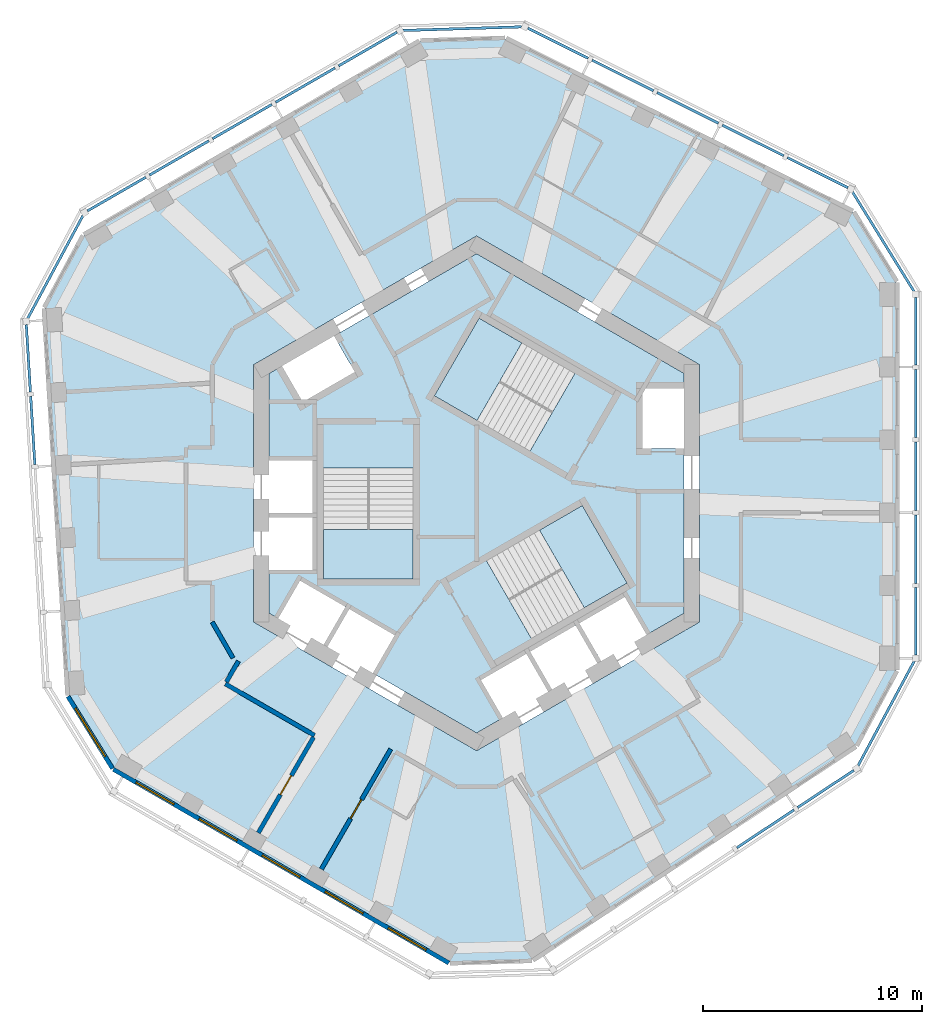
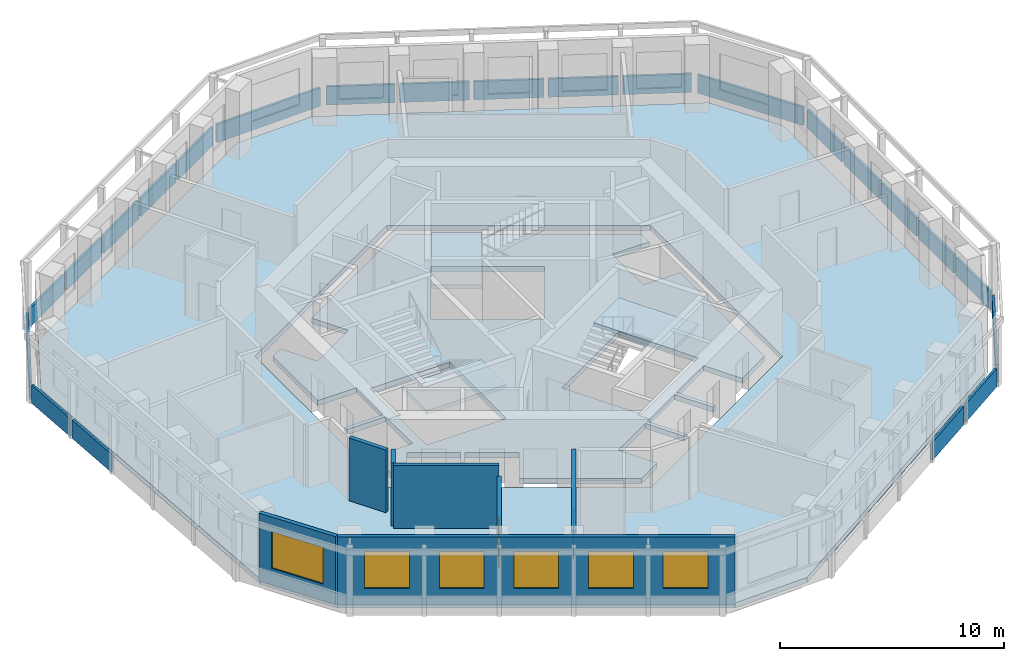
# One storey, part 3 of 10: 23 plates, 7 walls, 6 windows, 5 slabs, 2 doors, 8 openings, 12 elements without a shape of their own.
"""IFC4 building model written with IfcOpenShell, lengths in metres."""

import ifcopenshell
import ifcopenshell.guid

model = None  # the IFC model being written
_history = None  # IfcOwnerHistory: only IFC2X3 demands one
_inside = {}  # id of a spatial element -> (the spatial element, [elements in it])
_under = {}  # id of a project, library or spatial element -> (it, [spatial elements below it])
_declared = {}  # id of a project -> (the project, [libraries it declares])
_typed = {}  # id of a type object -> (the type object, [elements of that type])
_made_of = {}  # id of a material, layer set ... -> (it, [elements and type objects made of it])


def new_model(schema):
    """Start an empty IFC model of exactly this schema.

    Asked for "IFC4X3", IfcOpenShell would pick the latest addendum, in which some entities
    have other attributes; the version numbers below select the first issue.
    IFC2X3 requires an IfcOwnerHistory on every rooted entity: one is made here for all.
    """
    global model, _history
    if schema == "IFC4X3":
        model = ifcopenshell.file(schema_version=(4, 3, 0, 0))
    else:
        model = ifcopenshell.file(schema=schema)
    _inside.clear()
    _under.clear()
    _declared.clear()
    _typed.clear()
    _made_of.clear()
    _history = None
    if model.schema == "IFC2X3":
        org = make("IfcOrganization", Name="unknown")
        user = make(
            "IfcPersonAndOrganization",
            ThePerson=make("IfcPerson", FamilyName="unknown"),
            TheOrganization=org,
        )
        app = make(
            "IfcApplication",
            ApplicationDeveloper=org,
            Version="unknown",
            ApplicationFullName="unknown",
            ApplicationIdentifier="unknown",
        )
        _history = make(
            "IfcOwnerHistory",
            OwningUser=user,
            OwningApplication=app,
            ChangeAction="ADDED",
            CreationDate=0,
        )
    return model


def make(cls, **values):
    """One entity of the class cls with the attributes given. An attribute that is None is left unset."""
    return model.create_entity(
        cls, **{name: value for name, value in values.items() if value is not None}
    )


def rooted(cls, **values):
    """An entity with a GlobalId (a new one), such as an element, a storey or a relation."""
    return make(cls, GlobalId=ifcopenshell.guid.new(), OwnerHistory=_history, **values)


def si_unit(unit_type, name, prefix=None):
    """IfcSIUnit, for example si_unit("LENGTHUNIT", "METRE", prefix="MILLI")."""
    return make("IfcSIUnit", UnitType=unit_type, Prefix=prefix, Name=name)


def assignment(units):
    """IfcUnitAssignment: the units of a project."""
    return None if units is None else make("IfcUnitAssignment", Units=units)


def point(xyz):
    """IfcCartesianPoint."""
    return None if xyz is None else make("IfcCartesianPoint", Coordinates=xyz)


def direction(xyz):
    """IfcDirection."""
    return None if xyz is None else make("IfcDirection", DirectionRatios=xyz)


def frame(location, z_axis=None, x_axis=None):
    """IfcAxis2Placement3D, a coordinate frame: its origin and axes. An axis left out is left unset."""
    return make(
        "IfcAxis2Placement3D",
        Location=point(location),
        Axis=direction(z_axis),
        RefDirection=direction(x_axis),
    )


def frame_2d(location, x_axis=None):
    """IfcAxis2Placement2D, a coordinate frame in the plane: its origin and x axis."""
    return make(
        "IfcAxis2Placement2D", Location=point(location), RefDirection=direction(x_axis)
    )


def origin():
    """The frame at (0, 0, 0) with its axes left unset."""
    return frame((0.0, 0.0, 0.0))


def origin_2d():
    """The frame at (0, 0) in the plane with its x axis left unset."""
    return frame_2d((0.0, 0.0))


def place(relative_to, where):
    """IfcLocalPlacement: puts the frame where relative to a parent placement (None: the world)."""
    return make(
        "IfcLocalPlacement", PlacementRelTo=relative_to, RelativePlacement=where
    )


def context(
    kind, dimensions, precision=None, world=None, true_north=None, identifier=None
):
    """IfcGeometricRepresentationContext, for example the 3D "Model" context."""
    return make(
        "IfcGeometricRepresentationContext",
        ContextIdentifier=identifier,
        ContextType=kind,
        CoordinateSpaceDimension=dimensions,
        Precision=precision,
        WorldCoordinateSystem=world,
        TrueNorth=true_north,
    )


def subcontext(parent, identifier, kind, view, scale=None):
    """IfcGeometricRepresentationSubContext, for example "Body" below "Model"."""
    return make(
        "IfcGeometricRepresentationSubContext",
        ContextIdentifier=identifier,
        ContextType=kind,
        ParentContext=parent,
        TargetScale=scale,
        TargetView=view,
    )


def project(units=None, contexts=None):
    """IfcProject with its units and contexts."""
    return rooted(
        "IfcProject",
        Name="project",
        RepresentationContexts=contexts,
        UnitsInContext=assignment(units),
    )


def spatial(cls, under=None, at=None, **own):
    """A site, building, storey or space (cls), placed at a placement, below another one or the project."""
    s = rooted(cls, ObjectPlacement=at, **own)
    if under is not None:
        _under.setdefault(under.id(), (under, []))[1].append(s)
    return s


def polyline(points):
    """IfcPolyline through the points."""
    return make("IfcPolyline", Points=[point(p) for p in points])


def profile(cls, at=None, kind="AREA", **sizes):
    """A parametric profile (cls). Its sizes go by their IFC names, for example OverallWidth=200.0."""
    return make(cls, ProfileType=kind, Position=at, **sizes)


def rectangle(**sizes):
    """IfcRectangleProfileDef."""
    return profile("IfcRectangleProfileDef", **sizes)


def outline(outer, holes=None, kind="AREA"):
    """IfcArbitraryClosedProfileDef: a profile drawn as a closed curve; with holes, ...WithVoids."""
    if holes is None:
        return make("IfcArbitraryClosedProfileDef", ProfileType=kind, OuterCurve=outer)
    return make(
        "IfcArbitraryProfileDefWithVoids",
        ProfileType=kind,
        OuterCurve=outer,
        InnerCurves=holes,
    )


def extrude(swept, where, along, depth):
    """IfcExtrudedAreaSolid: the profile swept, set in the frame where, extruded along a direction by depth."""
    return make(
        "IfcExtrudedAreaSolid",
        SweptArea=swept,
        Position=where,
        ExtrudedDirection=direction(along),
        Depth=depth,
    )


def shape(context_of_items, identifier, shape_type, items):
    """IfcShapeRepresentation: the items that make up one representation, for example the "Body"."""
    return make(
        "IfcShapeRepresentation",
        ContextOfItems=context_of_items,
        RepresentationIdentifier=identifier,
        RepresentationType=shape_type,
        Items=items,
    )


def material(Name=None, Category=None):
    """IfcMaterial."""
    return make("IfcMaterial", Name=Name, Category=Category)


def layer(
    of_material, thickness, ventilated=None, Name=None, Category=None, Priority=None
):
    """IfcMaterialLayer: one layer of a wall or slab, of a material (None: an air gap)."""
    return make(
        "IfcMaterialLayer",
        Material=of_material,
        LayerThickness=thickness,
        IsVentilated=ventilated,
        Name=Name,
        Category=Category,
        Priority=Priority,
    )


def layer_set(layers, Name=None):
    """IfcMaterialLayerSet."""
    return make("IfcMaterialLayerSet", MaterialLayers=layers, LayerSetName=Name)


def made_of(thing, what):
    """Note that an element or type object is made of a material, layer set ...; save() writes the relation."""
    if what is not None:
        _made_of.setdefault(what.id(), (what, []))[1].append(thing)
    return thing


def type_object(cls, material=None, **own):
    """A type object (cls), such as IfcWallType, which elements share."""
    return made_of(rooted(cls, **own), material)


def element(
    cls,
    number,
    at=None,
    inside=None,
    cuts=None,
    type_object=None,
    material=None,
    context=None,
    identifier="Body",
    shape_type=None,
    held_by="IfcProductDefinitionShape",
    body=None,
    shapes=None,
    **own,
):
    """One element of the class cls, such as IfcWall. Its Tag is "e" and its number.

    at: its placement. inside: the storey or other place that contains it. cuts: it is an
    opening in that element (IfcRelVoidsElement). A single representation is given by context,
    identifier, shape_type and body (its items); several are given by shapes. held_by: the class
    of the entity that holds the representations. save() writes the other relations.
    """
    e = rooted(cls, Tag="e%d" % number, ObjectPlacement=at, **own)
    if body is not None:
        shapes = [shape(context, identifier, shape_type, body)]
    if shapes is not None:
        e.Representation = make(held_by, Representations=shapes)
    if inside is not None:
        _inside.setdefault(inside.id(), (inside, []))[1].append(e)
    if cuts is not None:
        rooted(
            "IfcRelVoidsElement", RelatingBuildingElement=cuts, RelatedOpeningElement=e
        )
    if type_object is not None:
        _typed.setdefault(type_object.id(), (type_object, []))[1].append(e)
    return made_of(e, material)


def fill(opening, filler):
    """IfcRelFillsElement: the door or window that sits in an opening."""
    return rooted(
        "IfcRelFillsElement",
        RelatingOpeningElement=opening,
        RelatedBuildingElement=filler,
    )


def aggregate(whole, parts):
    """IfcRelAggregates: a whole, such as a stair, and the parts it consists of."""
    return rooted("IfcRelAggregates", RelatingObject=whole, RelatedObjects=parts)


def save(model, path):
    """Write the relations noted so far, then the file.

    IfcRelAggregates (storeys below a building ...), IfcRelContainedInSpatialStructure (elements
    in a storey), IfcRelDefinesByType, IfcRelAssociatesMaterial and IfcRelDeclares: one each for
    every whole, place, type object, material and project.
    """
    for whole, parts in _under.values():
        aggregate(whole, parts)
    for where, things in _inside.values():
        rooted(
            "IfcRelContainedInSpatialStructure",
            RelatedElements=things,
            RelatingStructure=where,
        )
    for kind, things in _typed.values():
        rooted("IfcRelDefinesByType", RelatedObjects=things, RelatingType=kind)
    for what, things in _made_of.values():
        rooted("IfcRelAssociatesMaterial", RelatedObjects=things, RelatingMaterial=what)
    for by, libraries in _declared.values():
        rooted("IfcRelDeclares", RelatingContext=by, RelatedDefinitions=libraries)
    model.write(path)


model = new_model("IFC4")

# Units and contexts
model_context = context("Model", 3, precision=1e-05, world=origin(), true_north=direction((0.0, 1.0)))
body_context = subcontext(model_context, "Body", "Model", "MODEL_VIEW")
ifc_project = project(units=[si_unit("LENGTHUNIT", "METRE"), si_unit("AREAUNIT", "SQUARE_METRE"), si_unit("VOLUMEUNIT", "CUBIC_METRE"), si_unit("PLANEANGLEUNIT", "RADIAN"), si_unit("MASSUNIT", "GRAM", prefix="KILO")], contexts=[model_context])

# Site, building, storey
site_placement = place(None, origin())
site = spatial("IfcSite", under=ifc_project, at=site_placement, CompositionType="ELEMENT")
building_placement = place(site_placement, origin())
building = spatial("IfcBuilding", under=site, at=building_placement, Name="Vanh Sen Convention Tower", CompositionType="ELEMENT")
storey_placement = place(building_placement, frame((0.0, 0.0, 267.199951171875)))
storey = spatial("IfcBuildingStorey", under=building, at=storey_placement, Name="L66", CompositionType="ELEMENT", Elevation=267.199951171875)

# Slabs
ifc_material_1 = material(Name="Concrete C40/50", Category="concrete")
ifc_layer_1 = layer(ifc_material_1, 0.280029296875)
ifc_layer_set_1 = layer_set([ifc_layer_1], Name="Concrete C40/50")
slab_type_1 = type_object("IfcSlabType", Name="Core slab 280", PredefinedType="FLOOR", material=ifc_layer_set_1)
slab_1_placement = place(storey_placement, frame((0.0, 0.0, -0.280029296875)))
element("IfcSlab", 1, at=slab_1_placement, inside=storey, type_object=slab_type_1, Name="Core slab L66", PredefinedType="FLOOR", context=body_context, shape_type="SweptSolid", body=[
    extrude(outline(polyline([(0.0, 10.9697265625), (9.5, 5.48486328125), (9.5, 4.800048828125), (7.60009765625, 4.800048828125), (7.60009765625, 2.050048828125), (9.5, 2.050048828125), (9.5, -5.48486328125), (7.781005859375, -6.477294921875), (6.781005859375, -4.7451171875), (4.70263671875, -5.9453125), (5.70263671875, -7.67724609375), (5.529296875, -7.777099609375), (4.529296875, -6.045166015625), (2.450927734375, -7.2451171875), (3.450927734375, -8.977294921875), (3.27783203125, -9.0771484375), (2.27783203125, -7.34521484375), (0.19921875, -8.545166015625), (1.19921875, -10.277099609375), (0.0, -10.9697265625), (-4.75, -8.227294921875), (-3.75, -6.4951171875), (-5.82861328125, -5.295166015625), (-6.82861328125, -7.027099609375), (-7.001708984375, -6.92724609375), (-6.001708984375, -5.1953125), (-8.080078125, -3.9951171875), (-9.080078125, -5.727294921875), (-9.5, -5.48486328125), (-9.5, -3.5), (-7.5, -3.5), (-7.5, -1.10009765625), (-9.5, -1.10009765625), (-9.5, -0.89990234375), (-7.5, -0.89990234375), (-7.5, 1.5), (-9.5, 1.5), (-9.5, 5.48486328125), (-8.906982421875, 5.8271484375), (-7.956787109375, 4.181884765625), (-5.575439453125, 5.556884765625), (-6.525390625, 7.2021484375), (0.0, 10.9697265625)]), holes=[polyline([(-7.0, 1.1494140625), (-7.0, -3.909912109375), (-2.89990234375, -3.909912109375), (-2.89990234375, 1.1494140625), (-7.0, 1.1494140625)]), polyline([(2.504638671875, -6.63671875), (6.88623046875, -4.107177734375), (4.836181640625, -0.556396484375), (0.45458984375, -3.086181640625), (2.504638671875, -6.63671875)]), polyline([(0.11376953125, 8.01708984375), (-1.936279296875, 4.466552734375), (2.4453125, 1.936767578125), (4.495361328125, 5.487548828125), (0.11376953125, 8.01708984375)])]), origin(), (0.0, 0.0, 1.0), 0.280029296875),
])
ifc_layer_2 = layer(ifc_material_1, 0.280029296875)
ifc_layer_set_2 = layer_set([ifc_layer_2], Name="Concrete C40/50")
slab_type_2 = type_object("IfcSlabType", Name="Floor slab 280 REI 120", PredefinedType="FLOOR", material=ifc_layer_set_2)
slab_2_placement = place(storey_placement, frame((0.0, 0.0, -0.280029296875)))
element("IfcSlab", 2, at=slab_2_placement, inside=storey, type_object=slab_type_2, Name="Floor slab L66 tower", PredefinedType="FLOOR", context=body_context, shape_type="SweptSolid", body=[
    extrude(outline(polyline([(19.199951171875, -8.0966796875), (19.199951171875, 9.66162109375), (17.21337890625, 12.871826171875), (1.32080078125, 20.79541015625), (-2.587890625, 20.676025390625), (-17.967041015625, 11.796875), (-19.75390625, 8.471435546875), (-18.669921875, -9.25390625), (-16.612060546875, -12.579345703125), (-1.23291015625, -21.45849609375), (2.54052734375, -21.34326171875), (17.34912109375, -11.541748046875), (19.199951171875, -8.0966796875)]), holes=[polyline([(0.0, 11.77783203125), (-10.199951171875, 5.888916015625), (-10.199951171875, -5.888916015625), (0.0, -11.77783203125), (10.199951171875, -5.888916015625), (10.199951171875, 5.888916015625), (0.0, 11.77783203125)])]), origin(), (0.0, 0.0, 1.0), 0.280029296875),
])

# Curtain wall, plates
ifc_material_2 = material(Name="Concrete C50/60", Category="concrete")
curtain_wall_type = type_object("IfcCurtainWallType", Name="Outer skin office zone", PredefinedType="NOTDEFINED", material=ifc_material_2)
curtain_wall_1_placement = place(storey_placement, origin())
curtain_wall_1 = element("IfcCurtainWall", 3, at=curtain_wall_1_placement, inside=storey, type_object=curtain_wall_type, Name="OUTER SKIN E L66", PredefinedType="NOTDEFINED")
ifc_layer_3 = layer(ifc_material_2, 0.1201171875)
ifc_layer_set_3 = layer_set([ifc_layer_3], Name="Concrete C50/60")
plate_type = type_object("IfcPlateType", Name="Outer skin precast screen panel 120", PredefinedType="CURTAIN_PANEL", material=ifc_layer_set_3)
plate_1_placement = place(storey_placement, frame((20.10009765625, -5.85595703125, 0.0), z_axis=(0.0, 0.0, 1.0), x_axis=(0.0, 1.0, 0.0)))
plate_1 = element("IfcPlate", 4, at=plate_1_placement, type_object=plate_type, Name="OUTER SKIN screen panel E-1", PredefinedType="CURTAIN_PANEL", context=body_context, shape_type="SweptSolid", body=[
    extrude(rectangle(XDim=3.08154296875, YDim=0.1201171875, at=origin_2d()), origin(), (0.0, 0.0, 1.0), 1.0),
])
plate_2_placement = place(storey_placement, frame((20.10009765625, -2.54931640625, 0.0), z_axis=(0.0, 0.0, 1.0), x_axis=(0.0, 1.0, 0.0)))
plate_2 = element("IfcPlate", 5, at=plate_2_placement, type_object=plate_type, Name="OUTER SKIN screen panel E-2", PredefinedType="CURTAIN_PANEL", context=body_context, shape_type="SweptSolid", body=[
    extrude(rectangle(XDim=3.131591796875, YDim=0.1201171875, at=origin_2d()), origin(), (0.0, 0.0, 1.0), 1.0),
])
plate_3_placement = place(storey_placement, frame((20.10009765625, 0.782470703125, 0.0), z_axis=(0.0, 0.0, 1.0), x_axis=(0.0, 1.0, 0.0)))
plate_3 = element("IfcPlate", 6, at=plate_3_placement, type_object=plate_type, Name="OUTER SKIN screen panel E-3", PredefinedType="CURTAIN_PANEL", context=body_context, shape_type="SweptSolid", body=[
    extrude(rectangle(XDim=3.131591796875, YDim=0.1201171875, at=origin_2d()), origin(), (0.0, 0.0, 1.0), 1.0),
])
plate_4_placement = place(storey_placement, frame((20.10009765625, 4.114013671875, 0.0), z_axis=(0.0, 0.0, 1.0), x_axis=(0.0, 1.0, 0.0)))
plate_4 = element("IfcPlate", 7, at=plate_4_placement, type_object=plate_type, Name="OUTER SKIN screen panel E-4", PredefinedType="CURTAIN_PANEL", context=body_context, shape_type="SweptSolid", body=[
    extrude(rectangle(XDim=3.131591796875, YDim=0.1201171875, at=origin_2d()), origin(), (0.0, 0.0, 1.0), 1.0),
])
plate_5_placement = place(storey_placement, frame((20.10009765625, 7.420654296875, 0.0), z_axis=(0.0, 0.0, 1.0), x_axis=(0.0, 1.0, 0.0)))
plate_5 = element("IfcPlate", 8, at=plate_5_placement, type_object=plate_type, Name="OUTER SKIN screen panel E-5", PredefinedType="CURTAIN_PANEL", context=body_context, shape_type="SweptSolid", body=[
    extrude(rectangle(XDim=3.08154296875, YDim=0.1201171875, at=origin_2d()), origin(), (0.0, 0.0, 1.0), 1.0),
])
aggregate(curtain_wall_1, [plate_1, plate_2, plate_3, plate_4, plate_5])

# Curtain wall, plate
curtain_wall_2_placement = place(storey_placement, origin())
curtain_wall_2 = element("IfcCurtainWall", 9, at=curtain_wall_2_placement, inside=storey, type_object=curtain_wall_type, Name="OUTER SKIN CH1 L66", PredefinedType="NOTDEFINED")
plate_6_placement = place(storey_placement, frame((18.611328125, 11.51708984375, 0.0), z_axis=(0.0, 0.0, 1.0), x_axis=(-0.526218376078, 0.850349469734, 0.0)))
plate_6 = element("IfcPlate", 10, at=plate_6_placement, type_object=plate_type, Name="OUTER SKIN screen panel CH1-1", PredefinedType="CURTAIN_PANEL", context=body_context, shape_type="SweptSolid", body=[
    extrude(rectangle(XDim=5.35791015625, YDim=0.1201171875, at=origin_2d()), origin(), (0.0, 0.0, 1.0), 1.0),
])
aggregate(curtain_wall_2, [plate_6])

# Curtain wall, plates
curtain_wall_3_placement = place(storey_placement, origin())
curtain_wall_3 = element("IfcCurtainWall", 11, at=curtain_wall_3_placement, inside=storey, type_object=curtain_wall_type, Name="OUTER SKIN NE L66", PredefinedType="NOTDEFINED")
plate_7_placement = place(storey_placement, frame((15.609619140625, 14.677001953125, 0.0), z_axis=(0.0, 0.0, 1.0), x_axis=(-0.894931246532, 0.446204060919, 0.0)))
plate_7 = element("IfcPlate", 12, at=plate_7_placement, type_object=plate_type, Name="OUTER SKIN screen panel NE-1", PredefinedType="CURTAIN_PANEL", context=body_context, shape_type="SweptSolid", body=[
    extrude(rectangle(XDim=3.081787109375, YDim=0.1201171875, at=origin_2d()), origin(), (0.0, 0.0, 1.0), 1.0),
])
plate_8_placement = place(storey_placement, frame((12.650390625, 16.152587890625, 0.0), z_axis=(0.0, 0.0, 1.0), x_axis=(-0.894931246532, 0.446204060919, 0.0)))
plate_8 = element("IfcPlate", 13, at=plate_8_placement, type_object=plate_type, Name="OUTER SKIN screen panel NE-2", PredefinedType="CURTAIN_PANEL", context=body_context, shape_type="SweptSolid", body=[
    extrude(rectangle(XDim=3.131591796875, YDim=0.1201171875, at=origin_2d()), origin(), (0.0, 0.0, 1.0), 1.0),
])
plate_9_placement = place(storey_placement, frame((9.668701171875, 17.63916015625, 0.0), z_axis=(0.0, 0.0, 1.0), x_axis=(-0.894931246532, 0.446204060919, 0.0)))
plate_9 = element("IfcPlate", 14, at=plate_9_placement, type_object=plate_type, Name="OUTER SKIN screen panel NE-3", PredefinedType="CURTAIN_PANEL", context=body_context, shape_type="SweptSolid", body=[
    extrude(rectangle(XDim=3.131591796875, YDim=0.1201171875, at=origin_2d()), origin(), (0.0, 0.0, 1.0), 1.0),
])
plate_10_placement = place(storey_placement, frame((6.687255859375, 19.125732421875, 0.0), z_axis=(0.0, 0.0, 1.0), x_axis=(-0.89494292782, 0.446180631521, 0.0)))
plate_10 = element("IfcPlate", 15, at=plate_10_placement, type_object=plate_type, Name="OUTER SKIN screen panel NE-4", PredefinedType="CURTAIN_PANEL", context=body_context, shape_type="SweptSolid", body=[
    extrude(rectangle(XDim=3.131591796875, YDim=0.1201171875, at=origin_2d()), origin(), (0.0, 0.0, 1.0), 1.0),
])
plate_11_placement = place(storey_placement, frame((3.727783203125, 20.60107421875, 0.0), z_axis=(0.0, 0.0, 1.0), x_axis=(-0.894931246532, 0.446204060919, 0.0)))
plate_11 = element("IfcPlate", 16, at=plate_11_placement, type_object=plate_type, Name="OUTER SKIN screen panel NE-5", PredefinedType="CURTAIN_PANEL", context=body_context, shape_type="SweptSolid", body=[
    extrude(rectangle(XDim=3.081787109375, YDim=0.1201171875, at=origin_2d()), origin(), (0.0, 0.0, 1.0), 1.0),
])
aggregate(curtain_wall_3, [plate_7, plate_8, plate_9, plate_10, plate_11])

# Curtain wall, plate
curtain_wall_4_placement = place(storey_placement, origin())
curtain_wall_4 = element("IfcCurtainWall", 17, at=curtain_wall_4_placement, inside=storey, type_object=curtain_wall_type, Name="OUTER SKIN CH2 L66", PredefinedType="NOTDEFINED")
plate_12_placement = place(storey_placement, frame((-0.64990234375, 21.26806640625, 0.0), z_axis=(0.0, 0.0, 1.0), x_axis=(-0.99953391058, -0.030528046117, 0.0)))
plate_12 = element("IfcPlate", 18, at=plate_12_placement, type_object=plate_type, Name="OUTER SKIN screen panel CH2-1", PredefinedType="CURTAIN_PANEL", context=body_context, shape_type="SweptSolid", body=[
    extrude(rectangle(XDim=5.431640625, YDim=0.1201171875, at=origin_2d()), origin(), (0.0, 0.0, 1.0), 1.0),
])
aggregate(curtain_wall_4, [plate_12])

# Curtain wall, plates
curtain_wall_5_placement = place(storey_placement, origin())
curtain_wall_5 = element("IfcCurtainWall", 19, at=curtain_wall_5_placement, inside=storey, type_object=curtain_wall_type, Name="OUTER SKIN NW L66", PredefinedType="NOTDEFINED")
plate_13_placement = place(storey_placement, frame((-4.978515625, 20.335205078125, 0.0), z_axis=(0.0, 0.0, 1.0), x_axis=(-0.866015804314, -0.500016626402, 0.0)))
plate_13 = element("IfcPlate", 20, at=plate_13_placement, type_object=plate_type, Name="OUTER SKIN screen panel NW-1", PredefinedType="CURTAIN_PANEL", context=body_context, shape_type="SweptSolid", body=[
    extrude(rectangle(XDim=3.081787109375, YDim=0.1201171875, at=origin_2d()), origin(), (0.0, 0.0, 1.0), 1.0),
])
plate_14_placement = place(storey_placement, frame((-7.84228515625, 18.681640625, 0.0), z_axis=(0.0, 0.0, 1.0), x_axis=(-0.866028894422, -0.49999395399, 0.0)))
plate_14 = element("IfcPlate", 21, at=plate_14_placement, type_object=plate_type, Name="OUTER SKIN screen panel NW-2", PredefinedType="CURTAIN_PANEL", context=body_context, shape_type="SweptSolid", body=[
    extrude(rectangle(XDim=3.131591796875, YDim=0.1201171875, at=origin_2d()), origin(), (0.0, 0.0, 1.0), 1.0),
])
plate_15_placement = place(storey_placement, frame((-10.7275390625, 17.015869140625, 0.0), z_axis=(0.0, 0.0, 1.0), x_axis=(-0.866028894422, -0.49999395399, 0.0)))
plate_15 = element("IfcPlate", 22, at=plate_15_placement, type_object=plate_type, Name="OUTER SKIN screen panel NW-3", PredefinedType="CURTAIN_PANEL", context=body_context, shape_type="SweptSolid", body=[
    extrude(rectangle(XDim=3.131591796875, YDim=0.1201171875, at=origin_2d()), origin(), (0.0, 0.0, 1.0), 1.0),
])
plate_16_placement = place(storey_placement, frame((-13.61279296875, 15.35009765625, 0.0), z_axis=(0.0, 0.0, 1.0), x_axis=(-0.866015804314, -0.500016626402, 0.0)))
plate_16 = element("IfcPlate", 23, at=plate_16_placement, type_object=plate_type, Name="OUTER SKIN screen panel NW-4", PredefinedType="CURTAIN_PANEL", context=body_context, shape_type="SweptSolid", body=[
    extrude(rectangle(XDim=3.131591796875, YDim=0.1201171875, at=origin_2d()), origin(), (0.0, 0.0, 1.0), 1.0),
])
plate_17_placement = place(storey_placement, frame((-16.4765625, 13.69677734375, 0.0), z_axis=(0.0, 0.0, 1.0), x_axis=(-0.866028894422, -0.49999395399, 0.0)))
plate_17 = element("IfcPlate", 24, at=plate_17_placement, type_object=plate_type, Name="OUTER SKIN screen panel NW-5", PredefinedType="CURTAIN_PANEL", context=body_context, shape_type="SweptSolid", body=[
    extrude(rectangle(XDim=3.08154296875, YDim=0.1201171875, at=origin_2d()), origin(), (0.0, 0.0, 1.0), 1.0),
])
aggregate(curtain_wall_5, [plate_13, plate_14, plate_15, plate_16, plate_17])

# Curtain wall, plate
curtain_wall_6_placement = place(storey_placement, origin())
curtain_wall_6 = element("IfcCurtainWall", 25, at=curtain_wall_6_placement, inside=storey, type_object=curtain_wall_type, Name="OUTER SKIN CH3 L66", PredefinedType="NOTDEFINED")
plate_18_placement = place(storey_placement, frame((-19.27978515625, 10.359375, 0.0), z_axis=(0.0, 0.0, 1.0), x_axis=(-0.473324279511, -0.880888259897, 0.0)))
plate_18 = element("IfcPlate", 26, at=plate_18_placement, type_object=plate_type, Name="OUTER SKIN screen panel CH3-1", PredefinedType="CURTAIN_PANEL", context=body_context, shape_type="SweptSolid", body=[
    extrude(rectangle(XDim=5.35791015625, YDim=0.1201171875, at=origin_2d()), origin(), (0.0, 0.0, 1.0), 1.0),
])
aggregate(curtain_wall_6, [plate_18])

# Curtain wall, plates
curtain_wall_7_placement = place(storey_placement, origin())
curtain_wall_7 = element("IfcCurtainWall", 27, at=curtain_wall_7_placement, inside=storey, type_object=curtain_wall_type, Name="OUTER SKIN W L66", PredefinedType="NOTDEFINED")
plate_19_placement = place(storey_placement, frame((-20.515380859375, 6.1796875, 0.0), z_axis=(0.0, 0.0, 1.0), x_axis=(0.061052023682, -0.998134585316, 0.0)))
plate_19 = element("IfcPlate", 28, at=plate_19_placement, type_object=plate_type, Name="OUTER SKIN screen panel W-1", PredefinedType="CURTAIN_PANEL", context=body_context, shape_type="SweptSolid", body=[
    extrude(rectangle(XDim=3.08154296875, YDim=0.1201171875, at=origin_2d()), origin(), (0.0, 0.0, 1.0), 1.0),
])
plate_20_placement = place(storey_placement, frame((-20.313720703125, 2.87939453125, 0.0), z_axis=(0.0, 0.0, 1.0), x_axis=(0.061050281609, -0.998134691871, 0.0)))
plate_20 = element("IfcPlate", 29, at=plate_20_placement, type_object=plate_type, Name="OUTER SKIN screen panel W-2", PredefinedType="CURTAIN_PANEL", context=body_context, shape_type="SweptSolid", body=[
    extrude(rectangle(XDim=3.131591796875, YDim=0.1201171875, at=origin_2d()), origin(), (0.0, 0.0, 1.0), 1.0),
])
aggregate(curtain_wall_7, [plate_19, plate_20])

curtain_wall_8_placement = place(storey_placement, origin())
curtain_wall_8 = element("IfcCurtainWall", 30, at=curtain_wall_8_placement, inside=storey, type_object=curtain_wall_type, Name="OUTER SKIN SE L66", PredefinedType="NOTDEFINED")
plate_21_placement = place(storey_placement, frame((13.2197265625, -15.35400390625, 0.0), z_axis=(0.0, 0.0, 1.0), x_axis=(0.833879078823, 0.551947173108, 0.0)))
plate_21 = element("IfcPlate", 31, at=plate_21_placement, type_object=plate_type, Name="OUTER SKIN screen panel SE-4", PredefinedType="CURTAIN_PANEL", context=body_context, shape_type="SweptSolid", body=[
    extrude(rectangle(XDim=3.131591796875, YDim=0.1201171875, at=origin_2d()), origin(), (0.0, 0.0, 1.0), 1.0),
])
plate_22_placement = place(storey_placement, frame((15.97705078125, -13.529052734375, 0.0), z_axis=(0.0, 0.0, 1.0), x_axis=(0.833879078823, 0.551947173108, 0.0)))
plate_22 = element("IfcPlate", 32, at=plate_22_placement, type_object=plate_type, Name="OUTER SKIN screen panel SE-5", PredefinedType="CURTAIN_PANEL", context=body_context, shape_type="SweptSolid", body=[
    extrude(rectangle(XDim=3.081787109375, YDim=0.1201171875, at=origin_2d()), origin(), (0.0, 0.0, 1.0), 1.0),
])
aggregate(curtain_wall_8, [plate_21, plate_22])

# Curtain wall, plate
curtain_wall_9_placement = place(storey_placement, origin())
curtain_wall_9 = element("IfcCurtainWall", 33, at=curtain_wall_9_placement, inside=storey, type_object=curtain_wall_type, Name="OUTER SKIN CH6 L66", PredefinedType="NOTDEFINED")
plate_23_placement = place(storey_placement, frame((18.743408203125, -10.0712890625, 0.0), z_axis=(0.0, 0.0, 1.0), x_axis=(0.473324279511, 0.880888259897, 0.0)))
plate_23 = element("IfcPlate", 34, at=plate_23_placement, type_object=plate_type, Name="OUTER SKIN screen panel CH6-1", PredefinedType="CURTAIN_PANEL", context=body_context, shape_type="SweptSolid", body=[
    extrude(rectangle(XDim=5.431884765625, YDim=0.1201171875, at=origin_2d()), origin(), (0.0, 0.0, 1.0), 1.0),
])
aggregate(curtain_wall_9, [plate_23])

# Stair, slab
ifc_material_3 = material(Name="Concrete C50/60", Category="concrete")
stair_type_1 = type_object("IfcStairType", Name="Exit stair ST1 22 risers at 168.2", PredefinedType="HALF_TURN_STAIR", material=ifc_material_3)
stair_1_placement = place(storey_placement, origin())
stair_1 = element("IfcStair", 35, at=stair_1_placement, inside=storey, type_object=stair_type_1, Name="Exit stair ST1 L66", PredefinedType="HALF_TURN_STAIR")
ifc_layer_4 = layer(ifc_material_1, 0.199951171875)
ifc_layer_set_4 = layer_set([ifc_layer_4], Name="Concrete C40/50")
slab_type_3 = type_object("IfcSlabType", Name="Stair landing 200", PredefinedType="LANDING", material=ifc_layer_set_4)
slab_3_placement = place(storey_placement, frame((0.0, 0.0, 1.650146484375)))
slab_3 = element("IfcSlab", 36, at=slab_3_placement, type_object=slab_type_3, Name="ST1 landing 1", PredefinedType="LANDING", context=body_context, shape_type="SweptSolid", body=[
    extrude(outline(polyline([(2.07177734375, 6.88671875), (0.11376953125, 8.01708984375), (-1.936279296875, 4.466552734375), (0.021728515625, 3.336181640625), (2.07177734375, 6.88671875)])), origin(), (0.0, 0.0, 1.0), 0.199951171875),
])
aggregate(stair_1, [slab_3])

stair_type_2 = type_object("IfcStairType", Name="Exit stair ST2 22 risers at 168.2", PredefinedType="HALF_TURN_STAIR", material=ifc_material_3)
stair_2_placement = place(storey_placement, origin())
stair_2 = element("IfcStair", 37, at=stair_2_placement, inside=storey, type_object=stair_type_2, Name="Exit stair ST2 L66", PredefinedType="HALF_TURN_STAIR")
slab_4_placement = place(storey_placement, frame((0.0, 0.0, 1.650146484375)))
slab_4 = element("IfcSlab", 38, at=slab_4_placement, type_object=slab_type_3, Name="ST2 landing 1", PredefinedType="LANDING", context=body_context, shape_type="SweptSolid", body=[
    extrude(outline(polyline([(-7.0, -1.6494140625), (-7.0, -3.909912109375), (-2.89990234375, -3.909912109375), (-2.89990234375, -1.6494140625), (-7.0, -1.6494140625)])), origin(), (0.0, 0.0, 1.0), 0.199951171875),
])
aggregate(stair_2, [slab_4])

stair_type_3 = type_object("IfcStairType", Name="Exit stair ST3 22 risers at 168.2", PredefinedType="HALF_TURN_STAIR", material=ifc_material_3)
stair_3_placement = place(storey_placement, origin())
stair_3 = element("IfcStair", 39, at=stair_3_placement, inside=storey, type_object=stair_type_3, Name="Exit stair ST3 L66", PredefinedType="HALF_TURN_STAIR")
slab_5_placement = place(storey_placement, frame((0.0, 0.0, 1.650146484375)))
slab_5 = element("IfcSlab", 40, at=slab_5_placement, type_object=slab_type_3, Name="ST3 landing 1", PredefinedType="LANDING", context=body_context, shape_type="SweptSolid", body=[
    extrude(outline(polyline([(4.92822265625, -5.237548828125), (6.88623046875, -4.107177734375), (4.836181640625, -0.556396484375), (2.87841796875, -1.686767578125), (4.92822265625, -5.237548828125)])), origin(), (0.0, 0.0, 1.0), 0.199951171875),
])
aggregate(stair_3, [slab_5])

# Walls
ifc_material_4 = material(Name="Gypsum board on steel studs with mineral wool", Category="steel")
ifc_layer_5 = layer(ifc_material_4, 0.199951171875)
ifc_layer_set_5 = layer_set([ifc_layer_5], Name="Gypsum board on steel studs with mineral wool")
wall_type_1 = type_object("IfcWallType", Name="Corridor partition wall 200", PredefinedType="PARTITIONING", material=ifc_layer_set_5)
wall_1_placement = place(storey_placement, frame((-12.10009765625, -5.888916015625, 0.0), z_axis=(0.0, 0.0, 1.0), x_axis=(0.500063520245, -0.865988727248, 0.0)))
element("IfcWall", 41, at=wall_1_placement, inside=storey, type_object=wall_type_1, Name="Corridor partition wall 200", PredefinedType="PARTITIONING", context=body_context, shape_type="SweptSolid", body=[
    extrude(rectangle(XDim=1.900146484375, YDim=0.199951171875, at=frame_2d((0.9501953125, 0.0))), origin(), (0.0, 0.0, 1.0), 3.420166015625),
])
wall_2_placement = place(storey_placement, frame((-11.501220703125, -8.718505859375, 0.0), z_axis=(0.0, 0.0, 1.0), x_axis=(0.866024434742, -0.500001678427, 0.0)))
element("IfcWall", 42, at=wall_2_placement, inside=storey, type_object=wall_type_1, Name="Corridor partition wall 200", PredefinedType="PARTITIONING", context=body_context, shape_type="SweptSolid", body=[
    extrude(rectangle(XDim=4.7177734375, YDim=0.199951171875, at=frame_2d((2.35888671875, 0.0))), origin(), (0.0, 0.0, 1.0), 3.420166015625),
])
wall_3_placement = place(storey_placement, frame((-10.900634765625, -7.678466796875, 0.0), z_axis=(0.0, 0.0, 1.0), x_axis=(-0.500074377092, -0.865982457891, 0.0)))
element("IfcWall", 43, at=wall_3_placement, inside=storey, type_object=wall_type_1, Name="Corridor partition wall 200", PredefinedType="PARTITIONING", context=body_context, shape_type="SweptSolid", body=[
    extrude(rectangle(XDim=1.100830078125, YDim=0.199951171875, at=frame_2d((0.55029296875, 0.0))), origin(), (0.0, 0.0, 1.0), 3.420166015625),
])

# Wall, opening, door
wall_4_placement = place(storey_placement, frame((-9.989990234375, -15.53662109375, 0.0), z_axis=(0.0, 0.0, 1.0), x_axis=(0.499966611936, 0.866044679534, 0.0)))
wall_4 = element("IfcWall", 44, at=wall_4_placement, inside=storey, type_object=wall_type_1, Name="Corridor partition wall 200", PredefinedType="PARTITIONING", context=body_context, shape_type="SweptSolid", body=[
    extrude(rectangle(XDim=5.049072265625, YDim=0.199951171875, at=frame_2d((2.5244140625, 0.0))), origin(), (0.0, 0.0, 1.0), 2.8701171875),
])
opening_1_placement = place(wall_4_placement, frame((2.0244140625, 0.0, 0.0)))
opening_1 = element("IfcOpeningElement", 45, at=opening_1_placement, cuts=wall_4, Name="Opening D64110", PredefinedType="OPENING", context=body_context, shape_type="SweptSolid", body=[
    extrude(rectangle(XDim=1.0, YDim=2.10009765625, at=frame_2d((0.5, 1.050048828125))), frame((0.0, 0.10986328125, 0.0), z_axis=(0.0, -1.0, 0.0), x_axis=(1.0, 0.0, 0.0)), (0.0, 0.0, 1.0), 0.219970703125),
])
ifc_material_5 = material(Name="Glazed fire door in steel frame", Category="steel")
door_type = type_object("IfcDoorType", Name="Tenant entrance door 1000", OperationType="SINGLE_SWING_LEFT", PredefinedType="DOOR", material=ifc_material_5)
door_1_placement = place(opening_1_placement, origin())
door_1 = element("IfcDoor", 46, at=door_1_placement, inside=storey, type_object=door_type, Name="Tenant suite entrance door D64110", OperationType="SINGLE_SWING_LEFT", OverallHeight=2.10009765625, OverallWidth=1.0, PredefinedType="DOOR", context=body_context, shape_type="SweptSolid", body=[
    extrude(rectangle(XDim=1.0, YDim=2.10009765625, at=frame_2d((0.5, 1.050048828125))), frame((0.0, 0.02490234375, 0.0), z_axis=(0.0, -1.0, 0.0), x_axis=(1.0, 0.0, 0.0)), (0.0, 0.0, 1.0), 0.050048828125),
])
fill(opening_1, door_1)

wall_5_placement = place(storey_placement, frame((-7.104736328125, -17.202392578125, 0.0), z_axis=(0.0, 0.0, 1.0), x_axis=(0.499988692146, 0.866031932279, 0.0)))
wall_5 = element("IfcWall", 47, at=wall_5_placement, inside=storey, type_object=wall_type_1, Name="Corridor partition wall 200", PredefinedType="PARTITIONING", context=body_context, shape_type="SweptSolid", body=[
    extrude(rectangle(XDim=6.350341796875, YDim=0.199951171875, at=frame_2d((3.17529296875, 0.0))), origin(), (0.0, 0.0, 1.0), 3.420166015625),
])
opening_2_placement = place(wall_5_placement, frame((2.675048828125, 0.0, 0.0)))
opening_2 = element("IfcOpeningElement", 48, at=opening_2_placement, cuts=wall_5, Name="Opening D64112", PredefinedType="OPENING", context=body_context, shape_type="SweptSolid", body=[
    extrude(rectangle(XDim=1.0, YDim=2.10009765625, at=frame_2d((0.5, 1.050048828125))), frame((0.0, 0.10986328125, 0.0), z_axis=(0.0, -1.0, 0.0), x_axis=(1.0, 0.0, 0.0)), (0.0, 0.0, 1.0), 0.219970703125),
])
door_2_placement = place(opening_2_placement, origin())
door_2 = element("IfcDoor", 49, at=door_2_placement, inside=storey, type_object=door_type, Name="Tenant suite entrance door D64112", OperationType="SINGLE_SWING_LEFT", OverallHeight=2.10009765625, OverallWidth=1.0, PredefinedType="DOOR", context=body_context, shape_type="SweptSolid", body=[
    extrude(rectangle(XDim=1.0, YDim=2.10009765625, at=frame_2d((0.5, 1.050048828125))), frame((0.0, 0.02490234375, 0.0), z_axis=(0.0, -1.0, 0.0), x_axis=(1.0, 0.0, 0.0)), (0.0, 0.0, 1.0), 0.050048828125),
])
fill(opening_2, door_2)

# Wall, opening, window
ifc_material_6 = material(Name="Insulated lightweight infill wall")
ifc_layer_6 = layer(ifc_material_6, 0.199951171875)
ifc_layer_set_6 = layer_set([ifc_layer_6], Name="Insulated lightweight infill wall")
wall_type_2 = type_object("IfcWallType", Name="External wall 200", PredefinedType="STANDARD", material=ifc_layer_set_6)
wall_6_placement = place(storey_placement, frame((-18.705810546875, -9.290771484375, 0.0), z_axis=(0.0, 0.0, 1.0), x_axis=(0.526209683648, -0.850354848775, 0.0)))
wall_6 = element("IfcWall", 50, at=wall_6_placement, inside=storey, type_object=wall_type_2, Name="External wall CH4 L66", PredefinedType="STANDARD", context=body_context, shape_type="SweptSolid", body=[
    extrude(rectangle(XDim=3.8857421875, YDim=0.199951171875, at=frame_2d((1.94287109375, 0.0))), origin(), (0.0, 0.0, 1.0), 3.699951171875),
])
opening_3_placement = place(wall_6_placement, frame((0.642822265625, 0.0, 0.89990234375)))
opening_3 = element("IfcOpeningElement", 51, at=opening_3_placement, cuts=wall_6, Name="Opening WO6-CH41", PredefinedType="OPENING", context=body_context, shape_type="SweptSolid", body=[
    extrude(rectangle(XDim=2.60009765625, YDim=2.0, at=frame_2d((1.300048828125, 1.0))), frame((0.0, 0.10986328125, 0.0), z_axis=(0.0, -1.0, 0.0), x_axis=(1.0, 0.0, 0.0)), (0.0, 0.0, 1.0), 0.219970703125),
])
ifc_material_7 = material(Name="Aluminium frame with clear low-emissivity glass", Category="aluminium")
window_type_1 = type_object("IfcWindowType", Name="Office window 2600 x 2000", PartitioningType="SINGLE_PANEL", PredefinedType="WINDOW", material=ifc_material_7)
window_1_placement = place(opening_3_placement, origin())
window_1 = element("IfcWindow", 52, at=window_1_placement, inside=storey, type_object=window_type_1, Name="Window WO6-CH41", OverallHeight=2.0, OverallWidth=2.60009765625, PartitioningType="SINGLE_PANEL", PredefinedType="WINDOW", context=body_context, shape_type="SweptSolid", body=[
    extrude(rectangle(XDim=2.60009765625, YDim=2.0, at=frame_2d((1.300048828125, 1.0))), frame((0.0, 0.030029296875, 0.0), z_axis=(0.0, -1.0, 0.0), x_axis=(1.0, 0.0, 0.0)), (0.0, 0.0, 1.0), 0.06005859375),
])
fill(opening_3, window_1)

# Wall, openings, windows
wall_7_placement = place(storey_placement, frame((-16.626220703125, -12.62890625, 0.0), z_axis=(0.0, 0.0, 1.0), x_axis=(0.866026460444, -0.499998169808, 0.0)))
wall_7 = element("IfcWall", 53, at=wall_7_placement, inside=storey, type_object=wall_type_2, Name="External wall SW L66", PredefinedType="STANDARD", context=body_context, shape_type="SweptSolid", body=[
    extrude(rectangle(XDim=17.7314453125, YDim=0.199951171875, at=frame_2d((8.86572265625, 0.0))), origin(), (0.0, 0.0, 1.0), 3.699951171875),
])
opening_4_placement = place(wall_7_placement, frame((1.203125, 0.0, 0.89990234375)))
opening_4 = element("IfcOpeningElement", 54, at=opening_4_placement, cuts=wall_7, Name="Opening WO5-SW1", PredefinedType="OPENING", context=body_context, shape_type="SweptSolid", body=[
    extrude(rectangle(XDim=2.0, YDim=2.0, at=frame_2d((1.0, 1.0))), frame((0.0, 0.10986328125, 0.0), z_axis=(0.0, -1.0, 0.0), x_axis=(1.0, 0.0, 0.0)), (0.0, 0.0, 1.0), 0.219970703125),
])
opening_5_placement = place(wall_7_placement, frame((4.534912109375, 0.0, 0.89990234375)))
opening_5 = element("IfcOpeningElement", 55, at=opening_5_placement, cuts=wall_7, Name="Opening WO5-SW2", PredefinedType="OPENING", context=body_context, shape_type="SweptSolid", body=[
    extrude(rectangle(XDim=2.0, YDim=2.0, at=frame_2d((1.0, 1.0))), frame((0.0, 0.10986328125, 0.0), z_axis=(0.0, -1.0, 0.0), x_axis=(1.0, 0.0, 0.0)), (0.0, 0.0, 1.0), 0.219970703125),
])
opening_6_placement = place(wall_7_placement, frame((7.86669921875, 0.0, 0.89990234375)))
opening_6 = element("IfcOpeningElement", 56, at=opening_6_placement, cuts=wall_7, Name="Opening WO5-SW3", PredefinedType="OPENING", context=body_context, shape_type="SweptSolid", body=[
    extrude(rectangle(XDim=2.0, YDim=2.0, at=frame_2d((1.0, 1.0))), frame((0.0, 0.10986328125, 0.0), z_axis=(0.0, -1.0, 0.0), x_axis=(1.0, 0.0, 0.0)), (0.0, 0.0, 1.0), 0.219970703125),
])
opening_7_placement = place(wall_7_placement, frame((11.1982421875, 0.0, 0.89990234375)))
opening_7 = element("IfcOpeningElement", 57, at=opening_7_placement, cuts=wall_7, Name="Opening WO5-SW4", PredefinedType="OPENING", context=body_context, shape_type="SweptSolid", body=[
    extrude(rectangle(XDim=2.0, YDim=2.0, at=frame_2d((1.0, 1.0))), frame((0.0, 0.10986328125, 0.0), z_axis=(0.0, -1.0, 0.0), x_axis=(1.0, 0.0, 0.0)), (0.0, 0.0, 1.0), 0.219970703125),
])
opening_8_placement = place(wall_7_placement, frame((14.52978515625, 0.0, 0.89990234375)))
opening_8 = element("IfcOpeningElement", 58, at=opening_8_placement, cuts=wall_7, Name="Opening WO5-SW5", PredefinedType="OPENING", context=body_context, shape_type="SweptSolid", body=[
    extrude(rectangle(XDim=2.0, YDim=2.0, at=frame_2d((1.0, 1.0))), frame((0.0, 0.10986328125, 0.0), z_axis=(0.0, -1.0, 0.0), x_axis=(1.0, 0.0, 0.0)), (0.0, 0.0, 1.0), 0.219970703125),
])
window_type_2 = type_object("IfcWindowType", Name="Office window 2000 x 2000", PartitioningType="SINGLE_PANEL", PredefinedType="WINDOW", material=ifc_material_7)
window_2_placement = place(opening_4_placement, origin())
window_2 = element("IfcWindow", 59, at=window_2_placement, inside=storey, type_object=window_type_2, Name="Window WO5-SW1", OverallHeight=2.0, OverallWidth=2.0, PartitioningType="SINGLE_PANEL", PredefinedType="WINDOW", context=body_context, shape_type="SweptSolid", body=[
    extrude(rectangle(XDim=2.0, YDim=2.0, at=frame_2d((1.0, 1.0))), frame((0.0, 0.030029296875, 0.0), z_axis=(0.0, -1.0, 0.0), x_axis=(1.0, 0.0, 0.0)), (0.0, 0.0, 1.0), 0.06005859375),
])
fill(opening_4, window_2)
window_3_placement = place(opening_5_placement, origin())
window_3 = element("IfcWindow", 60, at=window_3_placement, inside=storey, type_object=window_type_2, Name="Window WO5-SW2", OverallHeight=2.0, OverallWidth=2.0, PartitioningType="SINGLE_PANEL", PredefinedType="WINDOW", context=body_context, shape_type="SweptSolid", body=[
    extrude(rectangle(XDim=2.0, YDim=2.0, at=frame_2d((1.0, 1.0))), frame((0.0, 0.030029296875, 0.0), z_axis=(0.0, -1.0, 0.0), x_axis=(1.0, 0.0, 0.0)), (0.0, 0.0, 1.0), 0.06005859375),
])
fill(opening_5, window_3)
window_4_placement = place(opening_6_placement, origin())
window_4 = element("IfcWindow", 61, at=window_4_placement, inside=storey, type_object=window_type_2, Name="Window WO5-SW3", OverallHeight=2.0, OverallWidth=2.0, PartitioningType="SINGLE_PANEL", PredefinedType="WINDOW", context=body_context, shape_type="SweptSolid", body=[
    extrude(rectangle(XDim=2.0, YDim=2.0, at=frame_2d((1.0, 1.0))), frame((0.0, 0.030029296875, 0.0), z_axis=(0.0, -1.0, 0.0), x_axis=(1.0, 0.0, 0.0)), (0.0, 0.0, 1.0), 0.06005859375),
])
fill(opening_6, window_4)
window_5_placement = place(opening_7_placement, origin())
window_5 = element("IfcWindow", 62, at=window_5_placement, inside=storey, type_object=window_type_2, Name="Window WO5-SW4", OverallHeight=2.0, OverallWidth=2.0, PartitioningType="SINGLE_PANEL", PredefinedType="WINDOW", context=body_context, shape_type="SweptSolid", body=[
    extrude(rectangle(XDim=2.0, YDim=2.0, at=frame_2d((1.0, 1.0))), frame((0.0, 0.030029296875, 0.0), z_axis=(0.0, -1.0, 0.0), x_axis=(1.0, 0.0, 0.0)), (0.0, 0.0, 1.0), 0.06005859375),
])
fill(opening_7, window_5)
window_6_placement = place(opening_8_placement, origin())
window_6 = element("IfcWindow", 63, at=window_6_placement, inside=storey, type_object=window_type_2, Name="Window WO5-SW5", OverallHeight=2.0, OverallWidth=2.0, PartitioningType="SINGLE_PANEL", PredefinedType="WINDOW", context=body_context, shape_type="SweptSolid", body=[
    extrude(rectangle(XDim=2.0, YDim=2.0, at=frame_2d((1.0, 1.0))), frame((0.0, 0.030029296875, 0.0), z_axis=(0.0, -1.0, 0.0), x_axis=(1.0, 0.0, 0.0)), (0.0, 0.0, 1.0), 0.06005859375),
])
fill(opening_8, window_6)

save(model, "model.ifc")
